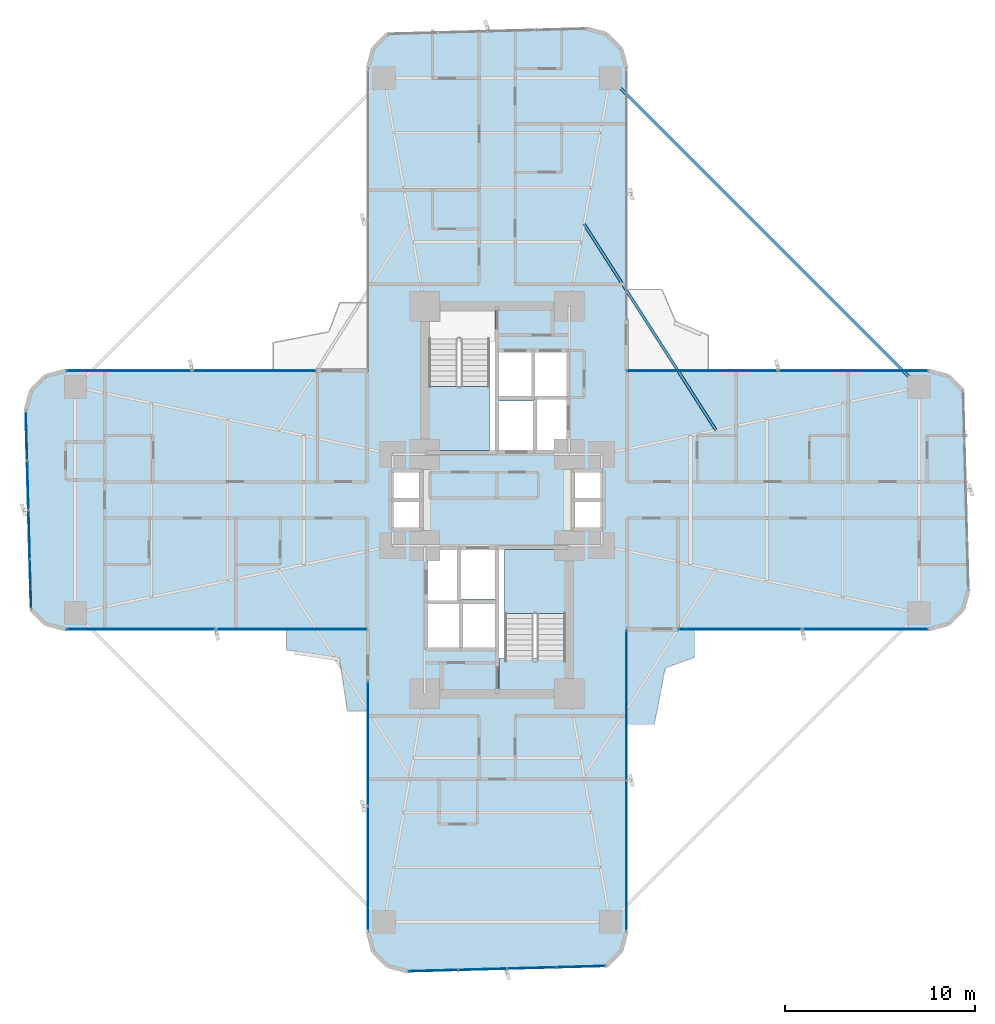
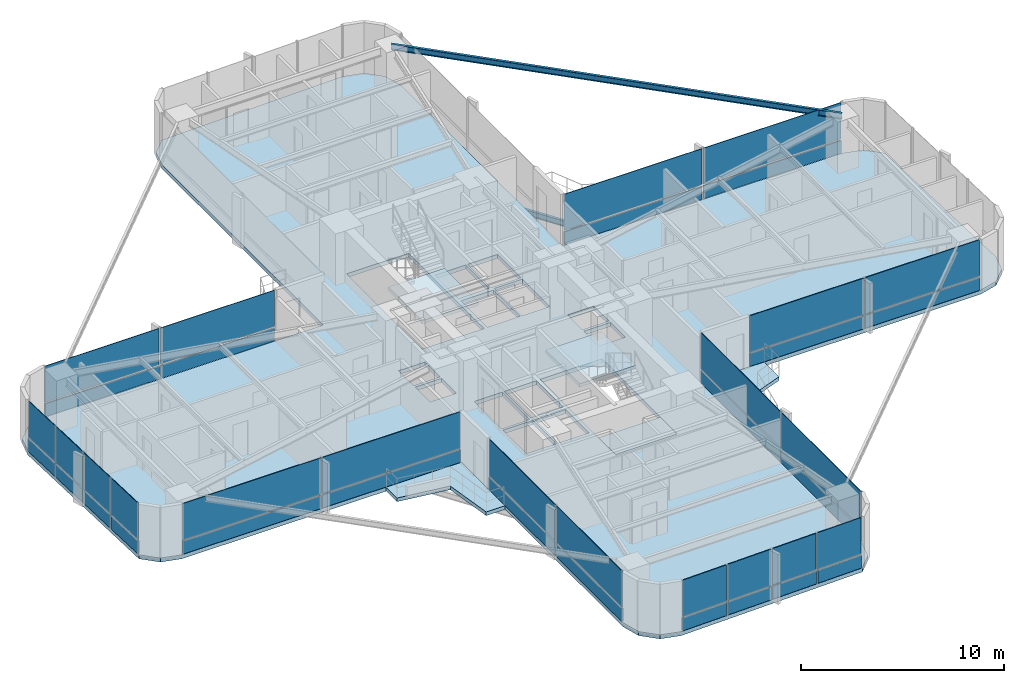
# One storey, part 20 of 26: 40 plates, 6 slabs, 2 beams, 10 elements without a shape of their own.
"""IFC4 building model written with IfcOpenShell, lengths in metres."""

import ifcopenshell
import ifcopenshell.guid

model = None  # the IFC model being written
_history = None  # IfcOwnerHistory: only IFC2X3 demands one
_inside = {}  # id of a spatial element -> (the spatial element, [elements in it])
_under = {}  # id of a project, library or spatial element -> (it, [spatial elements below it])
_declared = {}  # id of a project -> (the project, [libraries it declares])
_typed = {}  # id of a type object -> (the type object, [elements of that type])
_made_of = {}  # id of a material, layer set ... -> (it, [elements and type objects made of it])


def new_model(schema):
    """Start an empty IFC model of exactly this schema.

    Asked for "IFC4X3", IfcOpenShell would pick the latest addendum, in which some entities
    have other attributes; the version numbers below select the first issue.
    IFC2X3 requires an IfcOwnerHistory on every rooted entity: one is made here for all.
    """
    global model, _history
    if schema == "IFC4X3":
        model = ifcopenshell.file(schema_version=(4, 3, 0, 0))
    else:
        model = ifcopenshell.file(schema=schema)
    _inside.clear()
    _under.clear()
    _declared.clear()
    _typed.clear()
    _made_of.clear()
    _history = None
    if model.schema == "IFC2X3":
        org = make("IfcOrganization", Name="unknown")
        user = make(
            "IfcPersonAndOrganization",
            ThePerson=make("IfcPerson", FamilyName="unknown"),
            TheOrganization=org,
        )
        app = make(
            "IfcApplication",
            ApplicationDeveloper=org,
            Version="unknown",
            ApplicationFullName="unknown",
            ApplicationIdentifier="unknown",
        )
        _history = make(
            "IfcOwnerHistory",
            OwningUser=user,
            OwningApplication=app,
            ChangeAction="ADDED",
            CreationDate=0,
        )
    return model


def make(cls, **values):
    """One entity of the class cls with the attributes given. An attribute that is None is left unset."""
    return model.create_entity(
        cls, **{name: value for name, value in values.items() if value is not None}
    )


def rooted(cls, **values):
    """An entity with a GlobalId (a new one), such as an element, a storey or a relation."""
    return make(cls, GlobalId=ifcopenshell.guid.new(), OwnerHistory=_history, **values)


def si_unit(unit_type, name, prefix=None):
    """IfcSIUnit, for example si_unit("LENGTHUNIT", "METRE", prefix="MILLI")."""
    return make("IfcSIUnit", UnitType=unit_type, Prefix=prefix, Name=name)


def assignment(units):
    """IfcUnitAssignment: the units of a project."""
    return None if units is None else make("IfcUnitAssignment", Units=units)


def point(xyz):
    """IfcCartesianPoint."""
    return None if xyz is None else make("IfcCartesianPoint", Coordinates=xyz)


def direction(xyz):
    """IfcDirection."""
    return None if xyz is None else make("IfcDirection", DirectionRatios=xyz)


def frame(location, z_axis=None, x_axis=None):
    """IfcAxis2Placement3D, a coordinate frame: its origin and axes. An axis left out is left unset."""
    return make(
        "IfcAxis2Placement3D",
        Location=point(location),
        Axis=direction(z_axis),
        RefDirection=direction(x_axis),
    )


def frame_2d(location, x_axis=None):
    """IfcAxis2Placement2D, a coordinate frame in the plane: its origin and x axis."""
    return make(
        "IfcAxis2Placement2D", Location=point(location), RefDirection=direction(x_axis)
    )


def origin():
    """The frame at (0, 0, 0) with its axes left unset."""
    return frame((0.0, 0.0, 0.0))


def origin_2d():
    """The frame at (0, 0) in the plane with its x axis left unset."""
    return frame_2d((0.0, 0.0))


def place(relative_to, where):
    """IfcLocalPlacement: puts the frame where relative to a parent placement (None: the world)."""
    return make(
        "IfcLocalPlacement", PlacementRelTo=relative_to, RelativePlacement=where
    )


def context(
    kind, dimensions, precision=None, world=None, true_north=None, identifier=None
):
    """IfcGeometricRepresentationContext, for example the 3D "Model" context."""
    return make(
        "IfcGeometricRepresentationContext",
        ContextIdentifier=identifier,
        ContextType=kind,
        CoordinateSpaceDimension=dimensions,
        Precision=precision,
        WorldCoordinateSystem=world,
        TrueNorth=true_north,
    )


def subcontext(parent, identifier, kind, view, scale=None):
    """IfcGeometricRepresentationSubContext, for example "Body" below "Model"."""
    return make(
        "IfcGeometricRepresentationSubContext",
        ContextIdentifier=identifier,
        ContextType=kind,
        ParentContext=parent,
        TargetScale=scale,
        TargetView=view,
    )


def project(units=None, contexts=None):
    """IfcProject with its units and contexts."""
    return rooted(
        "IfcProject",
        Name="project",
        RepresentationContexts=contexts,
        UnitsInContext=assignment(units),
    )


def spatial(cls, under=None, at=None, **own):
    """A site, building, storey or space (cls), placed at a placement, below another one or the project."""
    s = rooted(cls, ObjectPlacement=at, **own)
    if under is not None:
        _under.setdefault(under.id(), (under, []))[1].append(s)
    return s


def polyline(points):
    """IfcPolyline through the points."""
    return make("IfcPolyline", Points=[point(p) for p in points])


def profile(cls, at=None, kind="AREA", **sizes):
    """A parametric profile (cls). Its sizes go by their IFC names, for example OverallWidth=200.0."""
    return make(cls, ProfileType=kind, Position=at, **sizes)


def rectangle(**sizes):
    """IfcRectangleProfileDef."""
    return profile("IfcRectangleProfileDef", **sizes)


def i_section(**sizes):
    """IfcIShapeProfileDef."""
    return profile("IfcIShapeProfileDef", **sizes)


def outline(outer, holes=None, kind="AREA"):
    """IfcArbitraryClosedProfileDef: a profile drawn as a closed curve; with holes, ...WithVoids."""
    if holes is None:
        return make("IfcArbitraryClosedProfileDef", ProfileType=kind, OuterCurve=outer)
    return make(
        "IfcArbitraryProfileDefWithVoids",
        ProfileType=kind,
        OuterCurve=outer,
        InnerCurves=holes,
    )


def extrude(swept, where, along, depth):
    """IfcExtrudedAreaSolid: the profile swept, set in the frame where, extruded along a direction by depth."""
    return make(
        "IfcExtrudedAreaSolid",
        SweptArea=swept,
        Position=where,
        ExtrudedDirection=direction(along),
        Depth=depth,
    )


def shape(context_of_items, identifier, shape_type, items):
    """IfcShapeRepresentation: the items that make up one representation, for example the "Body"."""
    return make(
        "IfcShapeRepresentation",
        ContextOfItems=context_of_items,
        RepresentationIdentifier=identifier,
        RepresentationType=shape_type,
        Items=items,
    )


def source(mapping_origin, context_of_items, identifier, shape_type, items):
    """IfcRepresentationMap: a shape defined once, which mapped items show again and again."""
    return make(
        "IfcRepresentationMap",
        MappingOrigin=mapping_origin,
        MappedRepresentation=shape(context_of_items, identifier, shape_type, items),
    )


def transform(
    local_origin,
    x_axis=None,
    y_axis=None,
    z_axis=None,
    scale=None,
    scale2=None,
    scale3=None,
    uniform=True,
):
    """IfcCartesianTransformationOperator3D, or its non-uniform kind. x_axis, y_axis, z_axis: its Axis1, 2, 3."""
    if uniform:
        return make(
            "IfcCartesianTransformationOperator3D",
            Axis1=direction(x_axis),
            Axis2=direction(y_axis),
            LocalOrigin=point(local_origin),
            Scale=scale,
            Axis3=direction(z_axis),
        )
    return make(
        "IfcCartesianTransformationOperator3DnonUniform",
        Axis1=direction(x_axis),
        Axis2=direction(y_axis),
        LocalOrigin=point(local_origin),
        Scale=scale,
        Axis3=direction(z_axis),
        Scale2=scale2,
        Scale3=scale3,
    )


def mapped(mapping_source, mapping_target):
    """IfcMappedItem: shows the shape of a source again, moved by a transform."""
    return make(
        "IfcMappedItem", MappingSource=mapping_source, MappingTarget=mapping_target
    )


def material(Name=None, Category=None):
    """IfcMaterial."""
    return make("IfcMaterial", Name=Name, Category=Category)


def layer(
    of_material, thickness, ventilated=None, Name=None, Category=None, Priority=None
):
    """IfcMaterialLayer: one layer of a wall or slab, of a material (None: an air gap)."""
    return make(
        "IfcMaterialLayer",
        Material=of_material,
        LayerThickness=thickness,
        IsVentilated=ventilated,
        Name=Name,
        Category=Category,
        Priority=Priority,
    )


def layer_set(layers, Name=None):
    """IfcMaterialLayerSet."""
    return make("IfcMaterialLayerSet", MaterialLayers=layers, LayerSetName=Name)


def material_profile(
    of_material, cross_section, Name=None, Category=None, Priority=None
):
    """IfcMaterialProfile: a cross section and its material."""
    return make(
        "IfcMaterialProfile",
        Name=Name,
        Material=of_material,
        Profile=cross_section,
        Priority=Priority,
        Category=Category,
    )


def profile_set(profiles, Name=None, composite=None):
    """IfcMaterialProfileSet."""
    return make(
        "IfcMaterialProfileSet",
        Name=Name,
        MaterialProfiles=profiles,
        CompositeProfile=composite,
    )


def made_of(thing, what):
    """Note that an element or type object is made of a material, layer set ...; save() writes the relation."""
    if what is not None:
        _made_of.setdefault(what.id(), (what, []))[1].append(thing)
    return thing


def type_object(cls, material=None, **own):
    """A type object (cls), such as IfcWallType, which elements share."""
    return made_of(rooted(cls, **own), material)


def element(
    cls,
    number,
    at=None,
    inside=None,
    cuts=None,
    type_object=None,
    material=None,
    context=None,
    identifier="Body",
    shape_type=None,
    held_by="IfcProductDefinitionShape",
    body=None,
    shapes=None,
    **own,
):
    """One element of the class cls, such as IfcWall. Its Tag is "e" and its number.

    at: its placement. inside: the storey or other place that contains it. cuts: it is an
    opening in that element (IfcRelVoidsElement). A single representation is given by context,
    identifier, shape_type and body (its items); several are given by shapes. held_by: the class
    of the entity that holds the representations. save() writes the other relations.
    """
    e = rooted(cls, Tag="e%d" % number, ObjectPlacement=at, **own)
    if body is not None:
        shapes = [shape(context, identifier, shape_type, body)]
    if shapes is not None:
        e.Representation = make(held_by, Representations=shapes)
    if inside is not None:
        _inside.setdefault(inside.id(), (inside, []))[1].append(e)
    if cuts is not None:
        rooted(
            "IfcRelVoidsElement", RelatingBuildingElement=cuts, RelatedOpeningElement=e
        )
    if type_object is not None:
        _typed.setdefault(type_object.id(), (type_object, []))[1].append(e)
    return made_of(e, material)


def aggregate(whole, parts):
    """IfcRelAggregates: a whole, such as a stair, and the parts it consists of."""
    return rooted("IfcRelAggregates", RelatingObject=whole, RelatedObjects=parts)


def save(model, path):
    """Write the relations noted so far, then the file.

    IfcRelAggregates (storeys below a building ...), IfcRelContainedInSpatialStructure (elements
    in a storey), IfcRelDefinesByType, IfcRelAssociatesMaterial and IfcRelDeclares: one each for
    every whole, place, type object, material and project.
    """
    for whole, parts in _under.values():
        aggregate(whole, parts)
    for where, things in _inside.values():
        rooted(
            "IfcRelContainedInSpatialStructure",
            RelatedElements=things,
            RelatingStructure=where,
        )
    for kind, things in _typed.values():
        rooted("IfcRelDefinesByType", RelatedObjects=things, RelatingType=kind)
    for what, things in _made_of.values():
        rooted("IfcRelAssociatesMaterial", RelatedObjects=things, RelatingMaterial=what)
    for by, libraries in _declared.values():
        rooted("IfcRelDeclares", RelatingContext=by, RelatedDefinitions=libraries)
    model.write(path)


model = new_model("IFC4")

# Units and contexts
model_context = context("Model", 3, precision=1e-05, world=origin(), true_north=direction((0.0, 1.0)))
body_context = subcontext(model_context, "Body", "Model", "MODEL_VIEW")
ifc_project = project(units=[si_unit("LENGTHUNIT", "METRE"), si_unit("AREAUNIT", "SQUARE_METRE"), si_unit("VOLUMEUNIT", "CUBIC_METRE"), si_unit("PLANEANGLEUNIT", "RADIAN"), si_unit("MASSUNIT", "GRAM", prefix="KILO")], contexts=[model_context])

# Site, building, storey
site_placement = place(None, origin())
site = spatial("IfcSite", under=ifc_project, at=site_placement, CompositionType="ELEMENT")
building_placement = place(site_placement, origin())
building = spatial("IfcBuilding", under=site, at=building_placement, Name="Sahyath Konkavel Grand Hotel", CompositionType="ELEMENT")
storey_placement = place(building_placement, frame((0.0, 0.0, 26.449951171875)))
storey = spatial("IfcBuildingStorey", under=building, at=storey_placement, Name="L06", CompositionType="ELEMENT", Elevation=26.449951171875)

# Beams
ifc_material_1 = material(Name="Steel E350", Category="steel")
ifc_material_profile_1 = material_profile(ifc_material_1, i_section(OverallWidth=0.139892578125, OverallDepth=0.35009765625, WebThickness=0.008056640625, FlangeThickness=0.01416015625, FilletRadius=0.013916015625, at=origin_2d()), Name="ISMB 350")
ifc_profile_set_1 = profile_set([ifc_material_profile_1], Name="Steel E350")
beam_type_1 = type_object("IfcBeamType", Name="BM-ISMB350", PredefinedType="BEAM", material=ifc_profile_set_1)
shared_shape_1 = source(origin(), body_context, "Body", "SweptSolid", [
    extrude(i_section(OverallWidth=0.139892578125, OverallDepth=0.35009765625, WebThickness=0.008056640625, FlangeThickness=0.01416015625, FilletRadius=0.013916015625, at=origin_2d()), origin(), (0.0, 0.0, 1.0), 22.98095703125),
])
beam_1_placement = place(storey_placement, frame((22.199951171875, 5.949951171875, 2.93505859375), z_axis=(-0.707106781187, 0.707106781187, 0.0), x_axis=(-0.707106781187, -0.707106781187, 0.0)))
element("IfcBeam", 1, at=beam_1_placement, inside=storey, type_object=beam_type_1, Name="L06 Re-Entrant Tie Beam NE", PredefinedType="BEAM", context=body_context, shape_type="MappedRepresentation", body=[
    mapped(shared_shape_1, transform((0.0, 0.0, 0.0), scale=1.0)),
])
ifc_material_profile_2 = material_profile(ifc_material_1, i_section(OverallWidth=0.139892578125, OverallDepth=0.35009765625, WebThickness=0.008056640625, FlangeThickness=0.01416015625, FilletRadius=0.013916015625, at=origin_2d()), Name="ISMB 350")
ifc_profile_set_2 = profile_set([ifc_material_profile_2], Name="Steel E350")
beam_type_2 = type_object("IfcBeamType", Name="BM-BALC-CANT", PredefinedType="BEAM", material=ifc_profile_set_2)
shared_shape_2 = source(origin(), body_context, "Body", "SweptSolid", [
    extrude(i_section(OverallWidth=0.139892578125, OverallDepth=0.35009765625, WebThickness=0.008056640625, FlangeThickness=0.01416015625, FilletRadius=0.013916015625, at=origin_2d()), origin(), (0.0, 0.0, 1.0), 12.871826171875),
])
beam_2_placement = place(storey_placement, frame((11.511962890625, 3.677978515625, -0.4150390625), z_axis=(-0.539003102535, 0.842303778608, 0.0), x_axis=(-0.842303778608, -0.539003102535, 0.0)))
element("IfcBeam", 2, at=beam_2_placement, inside=storey, type_object=beam_type_2, Name="L06 Balcony Cantilever Support Beam NE", PredefinedType="BEAM", context=body_context, shape_type="MappedRepresentation", body=[
    mapped(shared_shape_2, transform((0.0, 0.0, 0.0), scale=1.0)),
])

# Slabs
ifc_material_2 = material(Name="Concrete C40/50", Category="concrete")
ifc_layer_1 = layer(ifc_material_2, 0.239990234375)
ifc_layer_set_1 = layer_set([ifc_layer_1], Name="Concrete C40/50")
slab_type_1 = type_object("IfcSlabType", Name="SLB-240", PredefinedType="FLOOR", material=ifc_layer_set_1)
slab_1_placement = place(storey_placement, frame((0.0, 0.0, -0.239990234375)))
element("IfcSlab", 3, at=slab_1_placement, inside=storey, type_object=slab_type_1, Name="L06 Structural Floor Slab", PredefinedType="FLOOR", context=body_context, shape_type="SweptSolid", body=[
    extrude(outline(polyline([(6.800048828125, -6.800048828125), (22.699951171875, -6.800048828125), (23.75, -6.518798828125), (24.518798828125, -5.75), (24.800048828125, -4.699951171875), (24.518798828125, 5.75), (23.75, 6.518798828125), (22.699951171875, 6.800048828125), (6.800048828125, 6.800048828125), (6.800048828125, 22.699951171875), (6.518798828125, 23.75), (5.75, 24.518798828125), (4.699951171875, 24.800048828125), (-5.75, 24.518798828125), (-6.518798828125, 23.75), (-6.800048828125, 22.699951171875), (-6.800048828125, 6.800048828125), (-22.699951171875, 6.800048828125), (-23.75, 6.518798828125), (-24.518798828125, 5.75), (-24.800048828125, 4.699951171875), (-24.518798828125, -5.75), (-23.75, -6.518798828125), (-22.699951171875, -6.800048828125), (-6.800048828125, -6.800048828125), (-6.800048828125, -22.699951171875), (-6.518798828125, -23.75), (-5.75, -24.518798828125), (-4.699951171875, -24.800048828125), (5.75, -24.518798828125), (6.518798828125, -23.75), (6.800048828125, -22.699951171875), (6.800048828125, -6.800048828125)]), holes=[polyline([(-3.6201171875, 2.580078125), (-0.10009765625, 2.580078125), (-0.10009765625, 10.02001953125), (-3.6201171875, 10.02001953125), (-3.6201171875, 2.580078125)]), polyline([(0.10009765625, -10.02001953125), (3.6201171875, -10.02001953125), (3.6201171875, -2.580078125), (0.10009765625, -2.580078125), (0.10009765625, -10.02001953125)]), polyline([(0.10009765625, 2.60009765625), (1.949951171875, 2.60009765625), (1.949951171875, 5.199951171875), (0.10009765625, 5.199951171875), (0.10009765625, 2.60009765625)]), polyline([(-1.949951171875, -5.199951171875), (-0.10009765625, -5.199951171875), (-0.10009765625, -2.60009765625), (-1.949951171875, -2.60009765625), (-1.949951171875, -5.199951171875)]), polyline([(2.050048828125, 2.60009765625), (3.64990234375, 2.60009765625), (3.64990234375, 5.300048828125), (2.050048828125, 5.300048828125), (2.050048828125, 2.60009765625)]), polyline([(-3.64990234375, -5.300048828125), (-2.050048828125, -5.300048828125), (-2.050048828125, -2.60009765625), (-3.64990234375, -2.60009765625), (-3.64990234375, -5.300048828125)]), polyline([(0.10009765625, 5.449951171875), (1.85009765625, 5.449951171875), (1.85009765625, 7.75), (0.10009765625, 7.75), (0.10009765625, 5.449951171875)]), polyline([(1.949951171875, 5.449951171875), (3.64990234375, 5.449951171875), (3.64990234375, 7.75), (1.949951171875, 7.75), (1.949951171875, 5.449951171875)]), polyline([(-3.64990234375, -7.75), (-1.949951171875, -7.75), (-1.949951171875, -5.449951171875), (-3.64990234375, -5.449951171875), (-3.64990234375, -7.75)]), polyline([(-1.85009765625, -7.75), (-0.10009765625, -7.75), (-0.10009765625, -5.449951171875), (-1.85009765625, -5.449951171875), (-1.85009765625, -7.75)]), polyline([(4.050048828125, 0.080078125), (5.550048828125, 0.080078125), (5.550048828125, 1.5400390625), (4.050048828125, 1.5400390625), (4.050048828125, 0.080078125)]), polyline([(4.050048828125, -1.5400390625), (5.550048828125, -1.5400390625), (5.550048828125, -0.080078125), (4.050048828125, -0.080078125), (4.050048828125, -1.5400390625)]), polyline([(-5.550048828125, 0.080078125), (-4.050048828125, 0.080078125), (-4.050048828125, 1.5400390625), (-5.550048828125, 1.5400390625), (-5.550048828125, 0.080078125)]), polyline([(-5.550048828125, -1.5400390625), (-4.050048828125, -1.5400390625), (-4.050048828125, -0.080078125), (-5.550048828125, -0.080078125), (-5.550048828125, -1.5400390625)])]), origin(), (0.0, 0.0, 1.0), 0.239990234375),
])
ifc_layer_2 = layer(ifc_material_2, 0.219970703125)
ifc_layer_set_2 = layer_set([ifc_layer_2], Name="Concrete C40/50")
slab_type_2 = type_object("IfcSlabType", Name="SLB-BALCONY-220", PredefinedType="FLOOR", material=ifc_layer_set_2)
slab_2_placement = place(storey_placement, frame((0.0, 0.0, -0.219970703125)))
element("IfcSlab", 4, at=slab_2_placement, inside=storey, type_object=slab_type_2, Name="L06 Winter-Garden Balcony SW", PredefinedType="FLOOR", context=body_context, shape_type="SweptSolid", body=[
    extrude(outline(polyline([(-6.800048828125, -6.800048828125), (-11.089111328125, -6.800048828125), (-11.089111328125, -7.8798828125), (-8.300048828125, -8.300048828125), (-7.8798828125, -11.111083984375), (-6.800048828125, -11.111083984375), (-6.800048828125, -6.800048828125)])), origin(), (0.0, 0.0, 1.0), 0.219970703125),
])
slab_3_placement = place(storey_placement, frame((0.0, 0.0, -0.219970703125)))
element("IfcSlab", 5, at=slab_3_placement, inside=storey, type_object=slab_type_2, Name="L06 Winter-Garden Balcony SE", PredefinedType="FLOOR", context=body_context, shape_type="SweptSolid", body=[
    extrude(outline(polyline([(6.800048828125, -6.800048828125), (6.800048828125, -11.800048828125), (8.26953125, -11.800048828125), (8.841064453125, -8.841064453125), (10.39990234375, -8.26953125), (10.39990234375, -6.800048828125), (6.800048828125, -6.800048828125)])), origin(), (0.0, 0.0, 1.0), 0.219970703125),
])

# Stair, slab
stair_type = type_object("IfcStairType", Name="STR-ST16-335", PredefinedType="HALF_TURN_STAIR", material=ifc_material_2)
stair_1_placement = place(storey_placement, origin())
stair_1 = element("IfcStair", 6, at=stair_1_placement, inside=storey, type_object=stair_type, Name="L06 North Core Smokeproof Exit Stair ST-1", PredefinedType="HALF_TURN_STAIR")
ifc_layer_3 = layer(ifc_material_2, 0.199951171875)
ifc_layer_set_3 = layer_set([ifc_layer_3], Name="Concrete C40/50")
slab_type_3 = type_object("IfcSlabType", Name="SLB-STAIR-LND", PredefinedType="LANDING", material=ifc_layer_set_3)
slab_4_placement = place(storey_placement, frame((0.0, 0.0, 1.47509765625)))
slab_4 = element("IfcSlab", 7, at=slab_4_placement, type_object=slab_type_3, Name="ST-1 landing 1", PredefinedType="LANDING", context=body_context, shape_type="SweptSolid", body=[
    extrude(outline(polyline([(-3.60009765625, 5.9599609375), (-3.60009765625, 2.60009765625), (-0.39990234375, 2.60009765625), (-0.39990234375, 5.9599609375), (-3.60009765625, 5.9599609375)])), origin(), (0.0, 0.0, 1.0), 0.199951171875),
])
aggregate(stair_1, [slab_4])

stair_2_placement = place(storey_placement, origin())
stair_2 = element("IfcStair", 8, at=stair_2_placement, inside=storey, type_object=stair_type, Name="L06 South Core Smokeproof Exit Stair ST-2", PredefinedType="HALF_TURN_STAIR")
slab_5_placement = place(storey_placement, frame((0.0, 0.0, 1.47509765625)))
slab_5 = element("IfcSlab", 9, at=slab_5_placement, type_object=slab_type_3, Name="ST-2 landing 1", PredefinedType="LANDING", context=body_context, shape_type="SweptSolid", body=[
    extrude(outline(polyline([(3.60009765625, -5.9599609375), (3.60009765625, -2.60009765625), (0.39990234375, -2.60009765625), (0.39990234375, -5.9599609375), (3.60009765625, -5.9599609375)])), origin(), (0.0, 0.0, 1.0), 0.199951171875),
])
aggregate(stair_2, [slab_5])

# Slab
slab_6_placement = place(storey_placement, frame((0.0, 0.0, -0.199951171875)))
element("IfcSlab", 10, at=slab_6_placement, inside=storey, type_object=slab_type_3, Name="L06 Stair ST-2 Floor Landing Slab", PredefinedType="LANDING", context=body_context, shape_type="SweptSolid", body=[
    extrude(outline(polyline([(0.10009765625, -10.02001953125), (3.6201171875, -10.02001953125), (3.6201171875, -8.35009765625), (0.10009765625, -8.35009765625), (0.10009765625, -10.02001953125)])), origin(), (0.0, 0.0, 1.0), 0.199951171875),
])

# Curtain wall, plates
ifc_material_3 = material(Name="Anodised Bronze Aluminium & Low-E Glazing", Category="aluminium")
curtain_wall_type = type_object("IfcCurtainWallType", Name="CW-ZONE1", PredefinedType="NOTDEFINED", material=ifc_material_3)
curtain_wall_1_placement = place(storey_placement, origin())
curtain_wall_1 = element("IfcCurtainWall", 11, at=curtain_wall_1_placement, inside=storey, type_object=curtain_wall_type, Name="L06 Unitised Curtain Wall F7", PredefinedType="NOTDEFINED")
ifc_material_4 = material(Name="Warm Buff Sandstone Cladding", Category="masonry")
ifc_layer_4 = layer(ifc_material_4, 0.074951171875)
ifc_layer_set_4 = layer_set([ifc_layer_4], Name="Warm Buff Sandstone Cladding")
plate_type_1 = type_object("IfcPlateType", Name="PNL-SPANDREL-STONE", PredefinedType="SHEET", material=ifc_layer_set_4)
shared_shape_3 = source(origin(), body_context, "Body", "SweptSolid", [
    extrude(rectangle(XDim=7.830078125, YDim=0.074951171875, at=origin_2d()), origin(), (0.0, 0.0, 1.0), 0.77001953125),
])
plate_1_placement = place(storey_placement, frame((18.705078125, 6.800048828125, 0.0400390625), z_axis=(0.0, 0.0, 1.0), x_axis=(-1.0, 0.0, 0.0)))
plate_1 = element("IfcPlate", 12, at=plate_1_placement, type_object=plate_type_1, Name="L06 Sandstone Relief Spandrel Panel F7-0", PredefinedType="SHEET", context=body_context, shape_type="MappedRepresentation", body=[
    mapped(shared_shape_3, transform((0.0, 0.0, 0.0), scale=1.0)),
])
plate_2_placement = place(storey_placement, frame((10.794921875, 6.800048828125, 0.0400390625), z_axis=(0.0, 0.0, 1.0), x_axis=(-1.0, 0.0, 0.0)))
plate_2 = element("IfcPlate", 13, at=plate_2_placement, type_object=plate_type_1, Name="L06 Sandstone Relief Spandrel Panel F7-1", PredefinedType="SHEET", context=body_context, shape_type="MappedRepresentation", body=[
    mapped(shared_shape_3, transform((0.0, 0.0, 0.0), scale=1.0)),
])

curtain_wall_2_placement = place(storey_placement, origin())
curtain_wall_2 = element("IfcCurtainWall", 14, at=curtain_wall_2_placement, inside=storey, type_object=curtain_wall_type, Name="L06 Unitised Curtain Wall F23", PredefinedType="NOTDEFINED")
plate_3_placement = place(storey_placement, frame((-18.705078125, -6.800048828125, 0.0400390625), z_axis=(0.0, 0.0, 1.0), x_axis=(1.0, 0.0, 0.0)))
plate_3 = element("IfcPlate", 15, at=plate_3_placement, type_object=plate_type_1, Name="L06 Sandstone Relief Spandrel Panel F23-0", PredefinedType="SHEET", context=body_context, shape_type="MappedRepresentation", body=[
    mapped(shared_shape_3, transform((0.0, 0.0, 0.0), scale=1.0)),
])
plate_4_placement = place(storey_placement, frame((-10.794921875, -6.800048828125, 0.0400390625), z_axis=(0.0, 0.0, 1.0), x_axis=(1.0, 0.0, 0.0)))
plate_4 = element("IfcPlate", 16, at=plate_4_placement, type_object=plate_type_1, Name="L06 Sandstone Relief Spandrel Panel F23-1", PredefinedType="SHEET", context=body_context, shape_type="MappedRepresentation", body=[
    mapped(shared_shape_3, transform((0.0, 0.0, 0.0), scale=1.0)),
])

curtain_wall_3_placement = place(storey_placement, origin())
curtain_wall_3 = element("IfcCurtainWall", 17, at=curtain_wall_3_placement, inside=storey, type_object=curtain_wall_type, Name="L06 Unitised Curtain Wall F31", PredefinedType="NOTDEFINED")
plate_5_placement = place(storey_placement, frame((6.800048828125, -18.705078125, 0.0400390625), z_axis=(0.0, 0.0, 1.0), x_axis=(0.0, 1.0, 0.0)))
plate_5 = element("IfcPlate", 18, at=plate_5_placement, type_object=plate_type_1, Name="L06 Sandstone Relief Spandrel Panel F31-0", PredefinedType="SHEET", context=body_context, shape_type="MappedRepresentation", body=[
    mapped(shared_shape_3, transform((0.0, 0.0, 0.0), scale=1.0)),
])
plate_6_placement = place(storey_placement, frame((6.800048828125, -10.794921875, 0.0400390625), z_axis=(0.0, 0.0, 1.0), x_axis=(0.0, 1.0, 0.0)))
plate_6 = element("IfcPlate", 19, at=plate_6_placement, type_object=plate_type_1, Name="L06 Sandstone Relief Spandrel Panel F31-1", PredefinedType="SHEET", context=body_context, shape_type="MappedRepresentation", body=[
    mapped(shared_shape_3, transform((0.0, 0.0, 0.0), scale=1.0)),
])

# Plate
ifc_material_5 = material(Name="Low-E Solar Control Double Glazing", Category="glass")
ifc_layer_5 = layer(ifc_material_5, 0.035888671875)
ifc_layer_set_5 = layer_set([ifc_layer_5], Name="Low-E Solar Control Double Glazing")
plate_type_2 = type_object("IfcPlateType", Name="PNL-VISION-LOWE", PredefinedType="CURTAIN_PANEL", material=ifc_layer_set_5)
shared_shape_4 = source(origin(), body_context, "Body", "SweptSolid", [
    extrude(rectangle(XDim=7.830078125, YDim=0.035888671875, at=origin_2d()), origin(), (0.0, 0.0, 1.0), 2.179931640625),
])
plate_7_placement = place(storey_placement, frame((18.705078125, 6.800048828125, 0.89013671875), z_axis=(0.0, 0.0, 1.0), x_axis=(-1.0, 0.0, 0.0)))
plate_7 = element("IfcPlate", 20, at=plate_7_placement, type_object=plate_type_2, Name="L06 Low-E Vision Glazing Panel F7-0", PredefinedType="CURTAIN_PANEL", context=body_context, shape_type="MappedRepresentation", body=[
    mapped(shared_shape_4, transform((0.0, 0.0, 0.0), scale=1.0)),
])

plate_8_placement = place(storey_placement, frame((10.794921875, 6.800048828125, 0.89013671875), z_axis=(0.0, 0.0, 1.0), x_axis=(-1.0, 0.0, 0.0)))
plate_8 = element("IfcPlate", 21, at=plate_8_placement, type_object=plate_type_2, Name="L06 Low-E Vision Glazing Panel F7-1", PredefinedType="CURTAIN_PANEL", context=body_context, shape_type="MappedRepresentation", body=[
    mapped(shared_shape_4, transform((0.0, 0.0, 0.0), scale=1.0)),
])

aggregate(curtain_wall_1, [plate_1, plate_7, plate_2, plate_8])

plate_9_placement = place(storey_placement, frame((-18.705078125, -6.800048828125, 0.89013671875), z_axis=(0.0, 0.0, 1.0), x_axis=(1.0, 0.0, 0.0)))
plate_9 = element("IfcPlate", 22, at=plate_9_placement, type_object=plate_type_2, Name="L06 Low-E Vision Glazing Panel F23-0", PredefinedType="CURTAIN_PANEL", context=body_context, shape_type="MappedRepresentation", body=[
    mapped(shared_shape_4, transform((0.0, 0.0, 0.0), scale=1.0)),
])

plate_10_placement = place(storey_placement, frame((-10.794921875, -6.800048828125, 0.89013671875), z_axis=(0.0, 0.0, 1.0), x_axis=(1.0, 0.0, 0.0)))
plate_10 = element("IfcPlate", 23, at=plate_10_placement, type_object=plate_type_2, Name="L06 Low-E Vision Glazing Panel F23-1", PredefinedType="CURTAIN_PANEL", context=body_context, shape_type="MappedRepresentation", body=[
    mapped(shared_shape_4, transform((0.0, 0.0, 0.0), scale=1.0)),
])

aggregate(curtain_wall_2, [plate_3, plate_9, plate_4, plate_10])

plate_11_placement = place(storey_placement, frame((6.800048828125, -18.705078125, 0.89013671875), z_axis=(0.0, 0.0, 1.0), x_axis=(0.0, 1.0, 0.0)))
plate_11 = element("IfcPlate", 24, at=plate_11_placement, type_object=plate_type_2, Name="L06 Low-E Vision Glazing Panel F31-0", PredefinedType="CURTAIN_PANEL", context=body_context, shape_type="MappedRepresentation", body=[
    mapped(shared_shape_4, transform((0.0, 0.0, 0.0), scale=1.0)),
])

plate_12_placement = place(storey_placement, frame((6.800048828125, -10.794921875, 0.89013671875), z_axis=(0.0, 0.0, 1.0), x_axis=(0.0, 1.0, 0.0)))
plate_12 = element("IfcPlate", 25, at=plate_12_placement, type_object=plate_type_2, Name="L06 Low-E Vision Glazing Panel F31-1", PredefinedType="CURTAIN_PANEL", context=body_context, shape_type="MappedRepresentation", body=[
    mapped(shared_shape_4, transform((0.0, 0.0, 0.0), scale=1.0)),
])

aggregate(curtain_wall_3, [plate_5, plate_11, plate_6, plate_12])

# Curtain wall, plates
curtain_wall_4_placement = place(storey_placement, origin())
curtain_wall_4 = element("IfcCurtainWall", 26, at=curtain_wall_4_placement, inside=storey, type_object=curtain_wall_type, Name="L06 Unitised Curtain Wall F20", PredefinedType="NOTDEFINED")
shared_shape_5 = source(origin(), body_context, "Body", "SweptSolid", [
    extrude(rectangle(XDim=2.513427734375, YDim=0.074951171875, at=origin_2d()), origin(), (0.0, 0.0, 1.0), 0.77001953125),
])
plate_13_placement = place(storey_placement, frame((-24.763916015625, 3.36376953125, 0.0400390625), z_axis=(0.0, 0.0, 1.0), x_axis=(0.026909728301, -0.999637867691, 0.0)))
plate_13 = element("IfcPlate", 27, at=plate_13_placement, type_object=plate_type_1, Name="L06 Sandstone Relief Spandrel Panel F20-0", PredefinedType="SHEET", context=body_context, shape_type="MappedRepresentation", body=[
    mapped(shared_shape_5, transform((0.0, 0.0, 0.0), scale=1.0)),
])
plate_14_placement = place(storey_placement, frame((-24.694091796875, 0.771240234375, 0.0400390625), z_axis=(0.0, 0.0, 1.0), x_axis=(0.026909728301, -0.999637867691, 0.0)))
plate_14 = element("IfcPlate", 28, at=plate_14_placement, type_object=plate_type_1, Name="L06 Sandstone Relief Spandrel Panel F20-1", PredefinedType="SHEET", context=body_context, shape_type="MappedRepresentation", body=[
    mapped(shared_shape_5, transform((0.0, 0.0, 0.0), scale=1.0)),
])
plate_15_placement = place(storey_placement, frame((-24.62451171875, -1.8212890625, 0.0400390625), z_axis=(0.0, 0.0, 1.0), x_axis=(0.026909728301, -0.999637867691, 0.0)))
plate_15 = element("IfcPlate", 29, at=plate_15_placement, type_object=plate_type_1, Name="L06 Sandstone Relief Spandrel Panel F20-2", PredefinedType="SHEET", context=body_context, shape_type="MappedRepresentation", body=[
    mapped(shared_shape_5, transform((0.0, 0.0, 0.0), scale=1.0)),
])
plate_16_placement = place(storey_placement, frame((-24.5546875, -4.413818359375, 0.0400390625), z_axis=(0.0, 0.0, 1.0), x_axis=(0.026909728301, -0.999637867691, 0.0)))
plate_16 = element("IfcPlate", 30, at=plate_16_placement, type_object=plate_type_1, Name="L06 Sandstone Relief Spandrel Panel F20-3", PredefinedType="SHEET", context=body_context, shape_type="MappedRepresentation", body=[
    mapped(shared_shape_5, transform((0.0, 0.0, 0.0), scale=1.0)),
])

curtain_wall_5_placement = place(storey_placement, origin())
curtain_wall_5 = element("IfcCurtainWall", 31, at=curtain_wall_5_placement, inside=storey, type_object=curtain_wall_type, Name="L06 Unitised Curtain Wall F28", PredefinedType="NOTDEFINED")
plate_17_placement = place(storey_placement, frame((-3.36376953125, -24.763916015625, 0.0400390625), z_axis=(0.0, 0.0, 1.0), x_axis=(0.999637867691, 0.026909728301, 0.0)))
plate_17 = element("IfcPlate", 32, at=plate_17_placement, type_object=plate_type_1, Name="L06 Sandstone Relief Spandrel Panel F28-0", PredefinedType="SHEET", context=body_context, shape_type="MappedRepresentation", body=[
    mapped(shared_shape_5, transform((0.0, 0.0, 0.0), scale=1.0)),
])
plate_18_placement = place(storey_placement, frame((-0.771240234375, -24.694091796875, 0.0400390625), z_axis=(0.0, 0.0, 1.0), x_axis=(0.999637867691, 0.026909728301, 0.0)))
plate_18 = element("IfcPlate", 33, at=plate_18_placement, type_object=plate_type_1, Name="L06 Sandstone Relief Spandrel Panel F28-1", PredefinedType="SHEET", context=body_context, shape_type="MappedRepresentation", body=[
    mapped(shared_shape_5, transform((0.0, 0.0, 0.0), scale=1.0)),
])
plate_19_placement = place(storey_placement, frame((1.8212890625, -24.62451171875, 0.0400390625), z_axis=(0.0, 0.0, 1.0), x_axis=(0.999637867691, 0.026909728301, 0.0)))
plate_19 = element("IfcPlate", 34, at=plate_19_placement, type_object=plate_type_1, Name="L06 Sandstone Relief Spandrel Panel F28-2", PredefinedType="SHEET", context=body_context, shape_type="MappedRepresentation", body=[
    mapped(shared_shape_5, transform((0.0, 0.0, 0.0), scale=1.0)),
])
plate_20_placement = place(storey_placement, frame((4.413818359375, -24.5546875, 0.0400390625), z_axis=(0.0, 0.0, 1.0), x_axis=(0.999637867691, 0.026909728301, 0.0)))
plate_20 = element("IfcPlate", 35, at=plate_20_placement, type_object=plate_type_1, Name="L06 Sandstone Relief Spandrel Panel F28-3", PredefinedType="SHEET", context=body_context, shape_type="MappedRepresentation", body=[
    mapped(shared_shape_5, transform((0.0, 0.0, 0.0), scale=1.0)),
])

# Plate
shared_shape_6 = source(origin(), body_context, "Body", "SweptSolid", [
    extrude(rectangle(XDim=2.513427734375, YDim=0.035888671875, at=origin_2d()), origin(), (0.0, 0.0, 1.0), 2.179931640625),
])
plate_21_placement = place(storey_placement, frame((-24.763916015625, 3.36376953125, 0.89013671875), z_axis=(0.0, 0.0, 1.0), x_axis=(0.026909728301, -0.999637867691, 0.0)))
plate_21 = element("IfcPlate", 36, at=plate_21_placement, type_object=plate_type_2, Name="L06 Low-E Vision Glazing Panel F20-0", PredefinedType="CURTAIN_PANEL", context=body_context, shape_type="MappedRepresentation", body=[
    mapped(shared_shape_6, transform((0.0, 0.0, 0.0), scale=1.0)),
])

plate_22_placement = place(storey_placement, frame((-24.694091796875, 0.771240234375, 0.89013671875), z_axis=(0.0, 0.0, 1.0), x_axis=(0.026909728301, -0.999637867691, 0.0)))
plate_22 = element("IfcPlate", 37, at=plate_22_placement, type_object=plate_type_2, Name="L06 Low-E Vision Glazing Panel F20-1", PredefinedType="CURTAIN_PANEL", context=body_context, shape_type="MappedRepresentation", body=[
    mapped(shared_shape_6, transform((0.0, 0.0, 0.0), scale=1.0)),
])

plate_23_placement = place(storey_placement, frame((-24.62451171875, -1.8212890625, 0.89013671875), z_axis=(0.0, 0.0, 1.0), x_axis=(0.026909728301, -0.999637867691, 0.0)))
plate_23 = element("IfcPlate", 38, at=plate_23_placement, type_object=plate_type_2, Name="L06 Low-E Vision Glazing Panel F20-2", PredefinedType="CURTAIN_PANEL", context=body_context, shape_type="MappedRepresentation", body=[
    mapped(shared_shape_6, transform((0.0, 0.0, 0.0), scale=1.0)),
])

plate_24_placement = place(storey_placement, frame((-24.5546875, -4.413818359375, 0.89013671875), z_axis=(0.0, 0.0, 1.0), x_axis=(0.026909728301, -0.999637867691, 0.0)))
plate_24 = element("IfcPlate", 39, at=plate_24_placement, type_object=plate_type_2, Name="L06 Low-E Vision Glazing Panel F20-3", PredefinedType="CURTAIN_PANEL", context=body_context, shape_type="MappedRepresentation", body=[
    mapped(shared_shape_6, transform((0.0, 0.0, 0.0), scale=1.0)),
])

aggregate(curtain_wall_4, [plate_13, plate_21, plate_14, plate_22, plate_15, plate_23, plate_16, plate_24])

plate_25_placement = place(storey_placement, frame((-3.36376953125, -24.763916015625, 0.89013671875), z_axis=(0.0, 0.0, 1.0), x_axis=(0.999637867691, 0.026909728301, 0.0)))
plate_25 = element("IfcPlate", 40, at=plate_25_placement, type_object=plate_type_2, Name="L06 Low-E Vision Glazing Panel F28-0", PredefinedType="CURTAIN_PANEL", context=body_context, shape_type="MappedRepresentation", body=[
    mapped(shared_shape_6, transform((0.0, 0.0, 0.0), scale=1.0)),
])

plate_26_placement = place(storey_placement, frame((-0.771240234375, -24.694091796875, 0.89013671875), z_axis=(0.0, 0.0, 1.0), x_axis=(0.999637867691, 0.026909728301, 0.0)))
plate_26 = element("IfcPlate", 41, at=plate_26_placement, type_object=plate_type_2, Name="L06 Low-E Vision Glazing Panel F28-1", PredefinedType="CURTAIN_PANEL", context=body_context, shape_type="MappedRepresentation", body=[
    mapped(shared_shape_6, transform((0.0, 0.0, 0.0), scale=1.0)),
])

plate_27_placement = place(storey_placement, frame((1.8212890625, -24.62451171875, 0.89013671875), z_axis=(0.0, 0.0, 1.0), x_axis=(0.999637867691, 0.026909728301, 0.0)))
plate_27 = element("IfcPlate", 42, at=plate_27_placement, type_object=plate_type_2, Name="L06 Low-E Vision Glazing Panel F28-2", PredefinedType="CURTAIN_PANEL", context=body_context, shape_type="MappedRepresentation", body=[
    mapped(shared_shape_6, transform((0.0, 0.0, 0.0), scale=1.0)),
])

plate_28_placement = place(storey_placement, frame((4.413818359375, -24.5546875, 0.89013671875), z_axis=(0.0, 0.0, 1.0), x_axis=(0.999637867691, 0.026909728301, 0.0)))
plate_28 = element("IfcPlate", 43, at=plate_28_placement, type_object=plate_type_2, Name="L06 Low-E Vision Glazing Panel F28-3", PredefinedType="CURTAIN_PANEL", context=body_context, shape_type="MappedRepresentation", body=[
    mapped(shared_shape_6, transform((0.0, 0.0, 0.0), scale=1.0)),
])

aggregate(curtain_wall_5, [plate_17, plate_25, plate_18, plate_26, plate_19, plate_27, plate_20, plate_28])

# Curtain wall, plates
curtain_wall_6_placement = place(storey_placement, origin())
curtain_wall_6 = element("IfcCurtainWall", 44, at=curtain_wall_6_placement, inside=storey, type_object=curtain_wall_type, Name="L06 Unitised Curtain Wall F0", PredefinedType="NOTDEFINED")
shared_shape_7 = source(origin(), body_context, "Body", "SweptSolid", [
    extrude(rectangle(XDim=6.47998046875, YDim=0.074951171875, at=origin_2d()), origin(), (0.0, 0.0, 1.0), 0.77001953125),
])
plate_29_placement = place(storey_placement, frame((12.820068359375, -6.800048828125, 0.0400390625), z_axis=(0.0, 0.0, 1.0), x_axis=(1.0, 0.0, 0.0)))
plate_29 = element("IfcPlate", 45, at=plate_29_placement, type_object=plate_type_1, Name="L06 Sandstone Relief Spandrel Panel F0-0", PredefinedType="SHEET", context=body_context, shape_type="MappedRepresentation", body=[
    mapped(shared_shape_7, transform((0.0, 0.0, 0.0), scale=1.0)),
])
plate_30_placement = place(storey_placement, frame((19.3798828125, -6.800048828125, 0.0400390625), z_axis=(0.0, 0.0, 1.0), x_axis=(1.0, 0.0, 0.0)))
plate_30 = element("IfcPlate", 46, at=plate_30_placement, type_object=plate_type_1, Name="L06 Sandstone Relief Spandrel Panel F0-1", PredefinedType="SHEET", context=body_context, shape_type="MappedRepresentation", body=[
    mapped(shared_shape_7, transform((0.0, 0.0, 0.0), scale=1.0)),
])

curtain_wall_7_placement = place(storey_placement, origin())
curtain_wall_7 = element("IfcCurtainWall", 47, at=curtain_wall_7_placement, inside=storey, type_object=curtain_wall_type, Name="L06 Unitised Curtain Wall F16", PredefinedType="NOTDEFINED")
plate_31_placement = place(storey_placement, frame((-12.820068359375, 6.800048828125, 0.0400390625), z_axis=(0.0, 0.0, 1.0), x_axis=(-1.0, 0.0, 0.0)))
plate_31 = element("IfcPlate", 48, at=plate_31_placement, type_object=plate_type_1, Name="L06 Sandstone Relief Spandrel Panel F16-0", PredefinedType="SHEET", context=body_context, shape_type="MappedRepresentation", body=[
    mapped(shared_shape_7, transform((0.0, 0.0, 0.0), scale=1.0)),
])
plate_32_placement = place(storey_placement, frame((-19.3798828125, 6.800048828125, 0.0400390625), z_axis=(0.0, 0.0, 1.0), x_axis=(-1.0, 0.0, 0.0)))
plate_32 = element("IfcPlate", 49, at=plate_32_placement, type_object=plate_type_1, Name="L06 Sandstone Relief Spandrel Panel F16-1", PredefinedType="SHEET", context=body_context, shape_type="MappedRepresentation", body=[
    mapped(shared_shape_7, transform((0.0, 0.0, 0.0), scale=1.0)),
])

curtain_wall_8_placement = place(storey_placement, origin())
curtain_wall_8 = element("IfcCurtainWall", 50, at=curtain_wall_8_placement, inside=storey, type_object=curtain_wall_type, Name="L06 Unitised Curtain Wall F24", PredefinedType="NOTDEFINED")
plate_33_placement = place(storey_placement, frame((-6.800048828125, -12.820068359375, 0.0400390625), z_axis=(0.0, 0.0, 1.0), x_axis=(0.0, -1.0, 0.0)))
plate_33 = element("IfcPlate", 51, at=plate_33_placement, type_object=plate_type_1, Name="L06 Sandstone Relief Spandrel Panel F24-0", PredefinedType="SHEET", context=body_context, shape_type="MappedRepresentation", body=[
    mapped(shared_shape_7, transform((0.0, 0.0, 0.0), scale=1.0)),
])
plate_34_placement = place(storey_placement, frame((-6.800048828125, -19.3798828125, 0.0400390625), z_axis=(0.0, 0.0, 1.0), x_axis=(0.0, -1.0, 0.0)))
plate_34 = element("IfcPlate", 52, at=plate_34_placement, type_object=plate_type_1, Name="L06 Sandstone Relief Spandrel Panel F24-1", PredefinedType="SHEET", context=body_context, shape_type="MappedRepresentation", body=[
    mapped(shared_shape_7, transform((0.0, 0.0, 0.0), scale=1.0)),
])

# Plate
shared_shape_8 = source(origin(), body_context, "Body", "SweptSolid", [
    extrude(rectangle(XDim=6.47998046875, YDim=0.035888671875, at=origin_2d()), origin(), (0.0, 0.0, 1.0), 2.179931640625),
])
plate_35_placement = place(storey_placement, frame((12.820068359375, -6.800048828125, 0.89013671875), z_axis=(0.0, 0.0, 1.0), x_axis=(1.0, 0.0, 0.0)))
plate_35 = element("IfcPlate", 53, at=plate_35_placement, type_object=plate_type_2, Name="L06 Low-E Vision Glazing Panel F0-0", PredefinedType="CURTAIN_PANEL", context=body_context, shape_type="MappedRepresentation", body=[
    mapped(shared_shape_8, transform((0.0, 0.0, 0.0), scale=1.0)),
])

plate_36_placement = place(storey_placement, frame((19.3798828125, -6.800048828125, 0.89013671875), z_axis=(0.0, 0.0, 1.0), x_axis=(1.0, 0.0, 0.0)))
plate_36 = element("IfcPlate", 54, at=plate_36_placement, type_object=plate_type_2, Name="L06 Low-E Vision Glazing Panel F0-1", PredefinedType="CURTAIN_PANEL", context=body_context, shape_type="MappedRepresentation", body=[
    mapped(shared_shape_8, transform((0.0, 0.0, 0.0), scale=1.0)),
])

aggregate(curtain_wall_6, [plate_29, plate_35, plate_30, plate_36])

plate_37_placement = place(storey_placement, frame((-12.820068359375, 6.800048828125, 0.89013671875), z_axis=(0.0, 0.0, 1.0), x_axis=(-1.0, 0.0, 0.0)))
plate_37 = element("IfcPlate", 55, at=plate_37_placement, type_object=plate_type_2, Name="L06 Low-E Vision Glazing Panel F16-0", PredefinedType="CURTAIN_PANEL", context=body_context, shape_type="MappedRepresentation", body=[
    mapped(shared_shape_8, transform((0.0, 0.0, 0.0), scale=1.0)),
])

plate_38_placement = place(storey_placement, frame((-19.3798828125, 6.800048828125, 0.89013671875), z_axis=(0.0, 0.0, 1.0), x_axis=(-1.0, 0.0, 0.0)))
plate_38 = element("IfcPlate", 56, at=plate_38_placement, type_object=plate_type_2, Name="L06 Low-E Vision Glazing Panel F16-1", PredefinedType="CURTAIN_PANEL", context=body_context, shape_type="MappedRepresentation", body=[
    mapped(shared_shape_8, transform((0.0, 0.0, 0.0), scale=1.0)),
])

aggregate(curtain_wall_7, [plate_31, plate_37, plate_32, plate_38])

plate_39_placement = place(storey_placement, frame((-6.800048828125, -12.820068359375, 0.89013671875), z_axis=(0.0, 0.0, 1.0), x_axis=(0.0, -1.0, 0.0)))
plate_39 = element("IfcPlate", 57, at=plate_39_placement, type_object=plate_type_2, Name="L06 Low-E Vision Glazing Panel F24-0", PredefinedType="CURTAIN_PANEL", context=body_context, shape_type="MappedRepresentation", body=[
    mapped(shared_shape_8, transform((0.0, 0.0, 0.0), scale=1.0)),
])

plate_40_placement = place(storey_placement, frame((-6.800048828125, -19.3798828125, 0.89013671875), z_axis=(0.0, 0.0, 1.0), x_axis=(0.0, -1.0, 0.0)))
plate_40 = element("IfcPlate", 58, at=plate_40_placement, type_object=plate_type_2, Name="L06 Low-E Vision Glazing Panel F24-1", PredefinedType="CURTAIN_PANEL", context=body_context, shape_type="MappedRepresentation", body=[
    mapped(shared_shape_8, transform((0.0, 0.0, 0.0), scale=1.0)),
])

aggregate(curtain_wall_8, [plate_33, plate_39, plate_34, plate_40])

save(model, "model.ifc")
